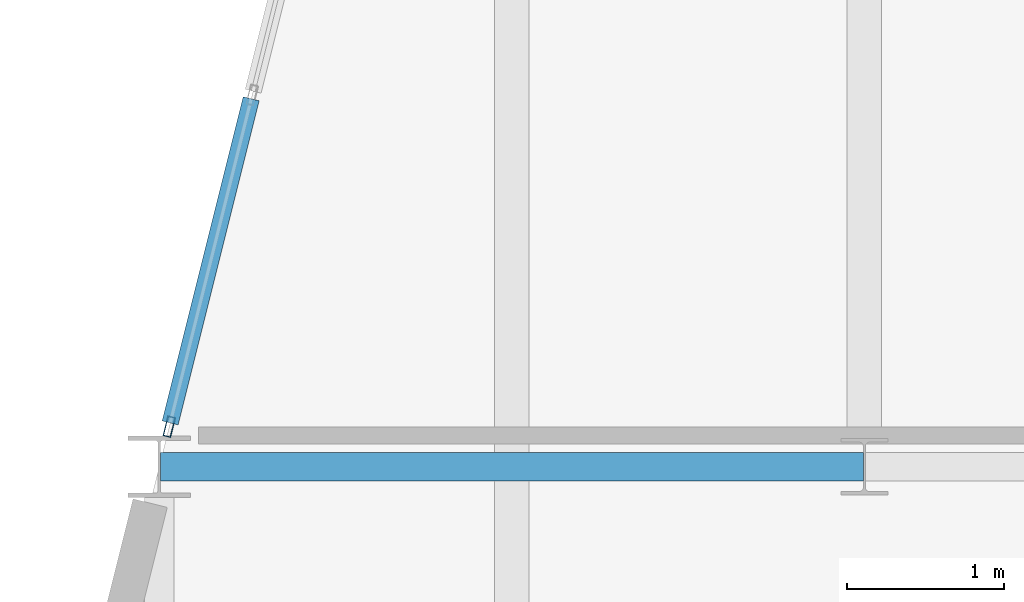
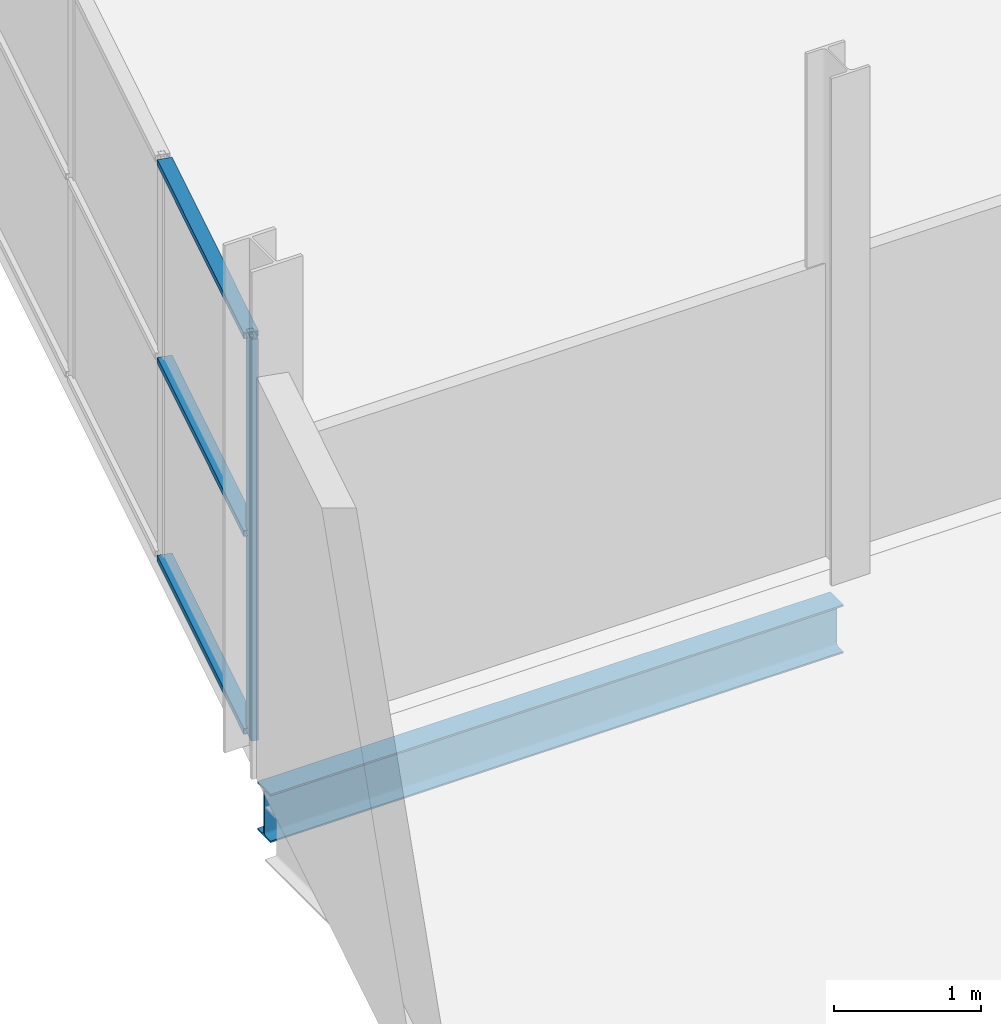
# One storey, part 91 of 140: 4 members, 1 beam, 1 element without a shape of its own.
"""IFC4 building model written with IfcOpenShell, lengths in metres."""

from ifc_helpers import new_model, si_unit, direction, frame, origin, origin_2d, place, context, subcontext, project, spatial, hollow_rectangle, i_section, extrude, material, layer, layer_set, material_profile, profile_set, type_object, element, aggregate, save


model = new_model("IFC4")

# Units and contexts
model_context = context("Model", 3, precision=1e-05, world=origin(), true_north=direction((0.0, 1.0)))
body_context = subcontext(model_context, "Body", "Model", "MODEL_VIEW")
ifc_project = project(units=[si_unit("LENGTHUNIT", "METRE"), si_unit("AREAUNIT", "SQUARE_METRE"), si_unit("VOLUMEUNIT", "CUBIC_METRE"), si_unit("PLANEANGLEUNIT", "RADIAN"), si_unit("MASSUNIT", "GRAM", prefix="KILO")], contexts=[model_context])

# Site, building, storey
site_placement = place(None, origin())
site = spatial("IfcSite", under=ifc_project, at=site_placement, CompositionType="ELEMENT")
building_placement = place(site_placement, origin())
building = spatial("IfcBuilding", under=site, at=building_placement, Name="Deido Ridge Mobility Hub", CompositionType="ELEMENT")
storey_placement = place(building_placement, origin())
storey = spatial("IfcBuildingStorey", under=building, at=storey_placement, Name="L00", CompositionType="ELEMENT", Elevation=0.0)

# Beam
ifc_material_1 = material(Name="Steel S355J2 EN 10025-2", Category="steel")
ifc_material_profile_1 = material_profile(ifc_material_1, i_section(OverallWidth=0.179931640625, OverallDepth=0.39990234375, WebThickness=0.008544921875, FlangeThickness=0.013427734375, FilletRadius=0.02099609375, at=origin_2d()), Name="IPE 400")
ifc_profile_set_1 = profile_set([ifc_material_profile_1], Name="Steel S355J2 EN 10025-2")
beam_type = type_object("IfcBeamType", Name="BM-IPE400", PredefinedType="BEAM", material=ifc_profile_set_1)
beam_placement = place(storey_placement, frame((126.0087890625, 36.0, -0.4599609375), z_axis=(1.0, 0.0, 0.0), x_axis=(0.0, 1.0, 0.0)))
element("IfcBeam", 1, at=beam_placement, inside=storey, type_object=beam_type, Name="Floor beam B5", PredefinedType="BEAM", context=body_context, shape_type="SweptSolid", body=[
    extrude(i_section(OverallWidth=0.179931640625, OverallDepth=0.39990234375, WebThickness=0.008544921875, FlangeThickness=0.013427734375, FilletRadius=0.02099609375, at=origin_2d()), origin(), (0.0, 0.0, 1.0), 4.485107421875),
])

# Curtain wall, members
ifc_material_2 = material(Name="Anodised aluminium EN AW-6063 T6", Category="aluminium")
ifc_layer = layer(ifc_material_2, 0.179931640625, Name="Anodised aluminium EN AW-6063 T6")
ifc_layer_set = layer_set([ifc_layer], Name="Anodised aluminium EN AW-6063 T6")
curtain_wall_type = type_object("IfcCurtainWallType", Name="CW-UF-2", PredefinedType="USERDEFINED", material=ifc_layer_set)
curtain_wall_placement = place(storey_placement, origin())
curtain_wall = element("IfcCurtainWall", 2, at=curtain_wall_placement, inside=storey, type_object=curtain_wall_type, Name="Unitised curtain wall CW2", ObjectType="UNITISED FACADE", PredefinedType="USERDEFINED")
ifc_material_profile_2 = material_profile(ifc_material_2, hollow_rectangle(XDim=0.050048828125, YDim=0.1298828125, WallThickness=0.00390625, at=origin_2d()), Name="RHS 50x130x4")
ifc_profile_set_2 = profile_set([ifc_material_profile_2], Name="Anodised aluminium EN AW-6063 T6")
member_type_1 = type_object("IfcMemberType", Name="MEM-MUL-50X130", PredefinedType="MULLION", material=ifc_profile_set_2)
member_1_placement = place(storey_placement, frame((126.06396484375, 36.256103515625, 0.0), z_axis=(0.0, 0.0, 1.0), x_axis=(-0.970143832947, 0.242530293767, 0.0)))
member_1 = element("IfcMember", 3, at=member_1_placement, type_object=member_type_1, Name="CW2 mullion 1", PredefinedType="MULLION", context=body_context, shape_type="SweptSolid", body=[
    extrude(hollow_rectangle(XDim=0.050048828125, YDim=0.1298828125, WallThickness=0.00390625, at=origin_2d()), origin(), (0.0, 0.0, 1.0), 3.324951171875),
])
ifc_material_profile_3 = material_profile(ifc_material_2, hollow_rectangle(XDim=0.10498046875, YDim=0.050048828125, WallThickness=0.00390625, at=origin_2d()), Name="RHS 105x50x4")
ifc_profile_set_3 = profile_set([ifc_material_profile_3], Name="Anodised aluminium EN AW-6063 T6")
member_type_2 = type_object("IfcMemberType", Name="MEM-TRN-105X50", PredefinedType="USERDEFINED", material=ifc_profile_set_3)
member_2_placement = place(storey_placement, frame((126.070068359375, 36.280517578125, 0.02490234375), z_axis=(0.242589524462, 0.970129023698, 0.0), x_axis=(-0.970129023698, 0.242589524462, 0.0)))
member_2 = element("IfcMember", 4, at=member_2_placement, type_object=member_type_2, Name="CW2 transom 1.1", ObjectType="TRANSOM", PredefinedType="USERDEFINED", context=body_context, shape_type="SweptSolid", body=[
    extrude(hollow_rectangle(XDim=0.10498046875, YDim=0.050048828125, WallThickness=0.00390625, at=origin_2d()), origin(), (0.0, 0.0, 1.0), 2.131591796875),
])
member_3_placement = place(storey_placement, frame((126.070068359375, 36.280517578125, 1.66259765625), z_axis=(0.242589524462, 0.970129023698, 0.0), x_axis=(-0.970129023698, 0.242589524462, 0.0)))
member_3 = element("IfcMember", 5, at=member_3_placement, type_object=member_type_2, Name="CW2 transom 1.2", ObjectType="TRANSOM", PredefinedType="USERDEFINED", context=body_context, shape_type="SweptSolid", body=[
    extrude(hollow_rectangle(XDim=0.10498046875, YDim=0.050048828125, WallThickness=0.00390625, at=origin_2d()), origin(), (0.0, 0.0, 1.0), 2.131591796875),
])
member_4_placement = place(storey_placement, frame((126.070068359375, 36.280517578125, 3.300048828125), z_axis=(0.242589524462, 0.970129023698, 0.0), x_axis=(-0.970129023698, 0.242589524462, 0.0)))
member_4 = element("IfcMember", 6, at=member_4_placement, type_object=member_type_2, Name="CW2 transom 1.3", ObjectType="TRANSOM", PredefinedType="USERDEFINED", context=body_context, shape_type="SweptSolid", body=[
    extrude(hollow_rectangle(XDim=0.10498046875, YDim=0.050048828125, WallThickness=0.00390625, at=origin_2d()), origin(), (0.0, 0.0, 1.0), 2.131591796875),
])
aggregate(curtain_wall, [member_1, member_2, member_3, member_4])

save(model, "model.ifc")
